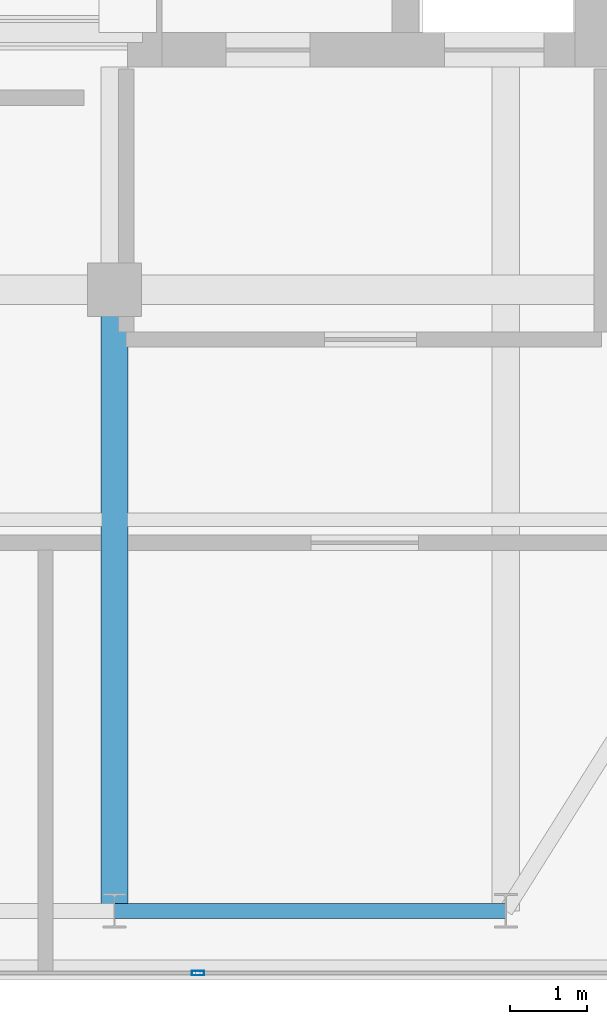
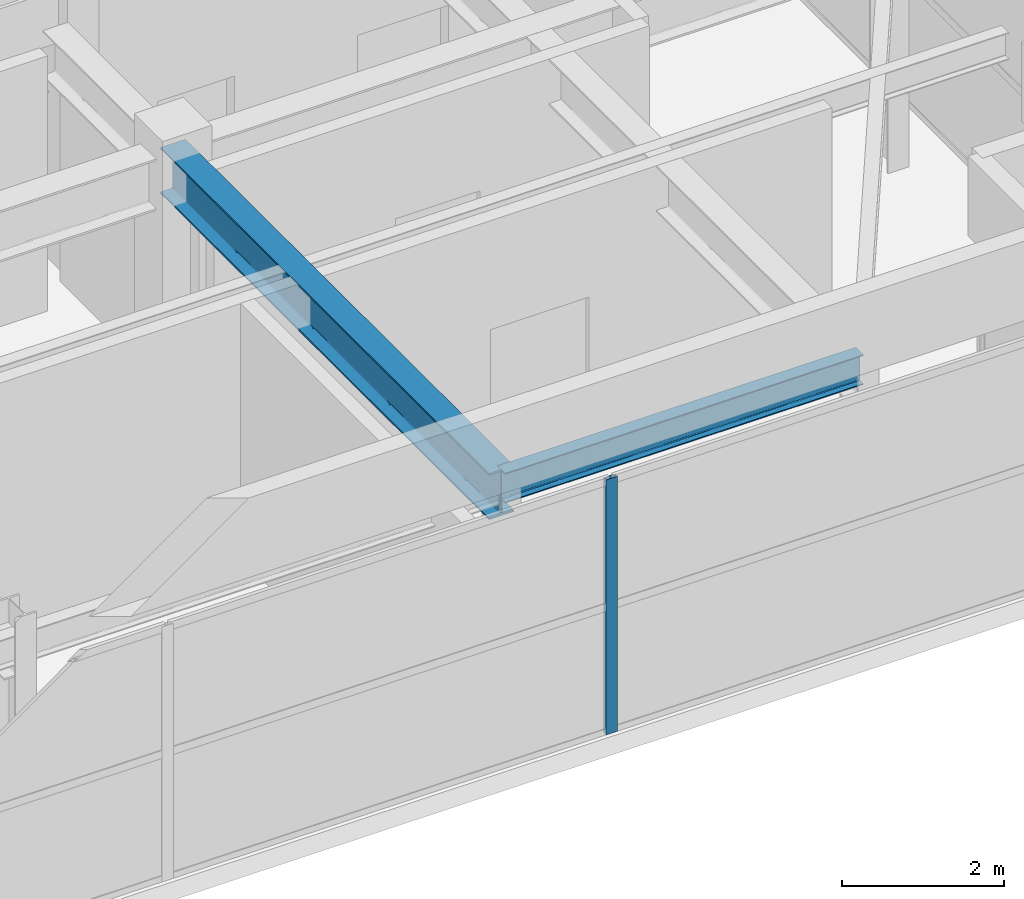
# One storey, part 9 of 33: 2 beams, 1 member, 1 element without a shape of its own.
"""IFC4 building model written with IfcOpenShell, lengths in metres."""

from ifc_helpers import new_model, si_unit, direction, frame, origin, origin_2d, place, context, subcontext, project, spatial, hollow_rectangle, i_section, extrude, source, transform, mapped, material, layer, layer_set, material_profile, profile_set, type_object, element, aggregate, save


model = new_model("IFC4")

# Units and contexts
model_context = context("Model", 3, precision=1e-05, world=origin(), true_north=direction((0.0, 1.0)))
body_context = subcontext(model_context, "Body", "Model", "MODEL_VIEW")
ifc_project = project(units=[si_unit("LENGTHUNIT", "METRE"), si_unit("AREAUNIT", "SQUARE_METRE"), si_unit("VOLUMEUNIT", "CUBIC_METRE"), si_unit("PLANEANGLEUNIT", "RADIAN"), si_unit("MASSUNIT", "GRAM", prefix="KILO")], contexts=[model_context])

# Site, building, storey
site_placement = place(None, origin())
site = spatial("IfcSite", under=ifc_project, at=site_placement, CompositionType="ELEMENT")
building_placement = place(site_placement, origin())
building = spatial("IfcBuilding", under=site, at=building_placement, Name="Khoralis Quay Care Tower", CompositionType="ELEMENT")
storey_placement = place(building_placement, frame((0.0, 0.0, 314.699951171875)))
storey = spatial("IfcBuildingStorey", under=building, at=storey_placement, Name="L82", CompositionType="ELEMENT", Elevation=314.699951171875)

# Beams
ifc_material_1 = material(Name="Steel S355", Category="steel")
ifc_material_profile_1 = material_profile(ifc_material_1, i_section(OverallWidth=0.18994140625, OverallDepth=0.449951171875, WebThickness=0.009521484375, FlangeThickness=0.0146484375, FilletRadius=0.02099609375, at=origin_2d()), Name="Steel S355")
ifc_profile_set_1 = profile_set([ifc_material_profile_1], Name="Steel S355")
beam_type_1 = type_object("IfcBeamType", Name="BM-IPE450", PredefinedType="SPANDREL", material=ifc_profile_set_1)
shared_shape_1 = source(origin(), body_context, "Body", "SweptSolid", [
    extrude(i_section(OverallWidth=0.18994140625, OverallDepth=0.449951171875, WebThickness=0.009521484375, FlangeThickness=0.0146484375, FilletRadius=0.02099609375, at=origin_2d()), origin(), (0.0, 0.0, 1.0), 5.10009765625),
])
beam_1_placement = place(storey_placement, frame((30.89990234375, 3.89990234375, 3.614990234375), z_axis=(1.0, 0.0, 0.0), x_axis=(0.0, 1.0, 0.0)))
element("IfcBeam", 1, at=beam_1_placement, inside=storey, type_object=beam_type_1, Name="BM-TSP-L82-04", PredefinedType="SPANDREL", context=body_context, shape_type="MappedRepresentation", body=[
    mapped(shared_shape_1, transform((0.0, 0.0, 0.0), scale=1.0)),
])
ifc_material_profile_2 = material_profile(ifc_material_1, i_section(OverallWidth=0.35498046875, OverallDepth=0.695068359375, WebThickness=0.015380859375, FlangeThickness=0.02490234375, FilletRadius=0.02001953125, at=origin_2d()), Name="Steel S355")
ifc_profile_set_2 = profile_set([ifc_material_profile_2], Name="Steel S355")
beam_type_2 = type_object("IfcBeamType", Name="BM-W690X217", PredefinedType="BEAM", material=ifc_profile_set_2)
shared_shape_2 = source(origin(), body_context, "Body", "SweptSolid", [
    extrude(i_section(OverallWidth=0.35498046875, OverallDepth=0.695068359375, WebThickness=0.015380859375, FlangeThickness=0.02490234375, FilletRadius=0.02001953125, at=origin_2d()), origin(), (0.0, 0.0, 1.0), 8.10009765625),
])
beam_2_placement = place(storey_placement, frame((30.89990234375, 3.89990234375, 3.492431640625), z_axis=(0.0, 1.0, 0.0), x_axis=(-1.0, 0.0, 0.0)))
element("IfcBeam", 2, at=beam_2_placement, inside=storey, type_object=beam_type_2, Name="BM-TGYS-L82-309", PredefinedType="BEAM", context=body_context, shape_type="MappedRepresentation", body=[
    mapped(shared_shape_2, transform((0.0, 0.0, 0.0), scale=1.0)),
])

# Curtain wall, member
ifc_material_2 = material(Name="Pale anodised aluminium", Category="aluminium")
ifc_layer = layer(ifc_material_2, 0.199951171875)
ifc_layer_set = layer_set([ifc_layer], Name="Pale anodised aluminium")
curtain_wall_type = type_object("IfcCurtainWallType", Name="CW-SYS-LANTERN", PredefinedType="NOTDEFINED", material=ifc_layer_set)
curtain_wall_placement = place(storey_placement, origin())
curtain_wall = element("IfcCurtainWall", 3, at=curtain_wall_placement, inside=storey, type_object=curtain_wall_type, Name="L82 Unitised Curtain Wall CW-LN-L82-01", PredefinedType="NOTDEFINED")
ifc_material_profile_3 = material_profile(ifc_material_2, hollow_rectangle(XDim=0.06005859375, YDim=0.159912109375, WallThickness=0.00390625, at=origin_2d()), Name="Pale anodised aluminium")
ifc_profile_set_3 = profile_set([ifc_material_profile_3], Name="Pale anodised aluminium")
member_type = type_object("IfcMemberType", Name="CW-MUL-160", PredefinedType="MULLION", material=ifc_profile_set_3)
shared_shape_3 = source(origin(), body_context, "Body", "SweptSolid", [
    extrude(hollow_rectangle(XDim=0.06005859375, YDim=0.159912109375, WallThickness=0.00390625, at=origin_2d()), origin(), (0.0, 0.0, 1.0), 3.840087890625),
])
member_placement = place(storey_placement, frame((31.986083984375, 3.090087890625, 0.0), z_axis=(0.0, 0.0, 1.0), x_axis=(0.0, 1.0, 0.0)))
member = element("IfcMember", 4, at=member_placement, type_object=member_type, Name="CW5 mullion 5", PredefinedType="MULLION", context=body_context, shape_type="MappedRepresentation", body=[
    mapped(shared_shape_3, transform((0.0, 0.0, 0.0), scale=1.0)),
])
aggregate(curtain_wall, [member])

save(model, "model.ifc")
